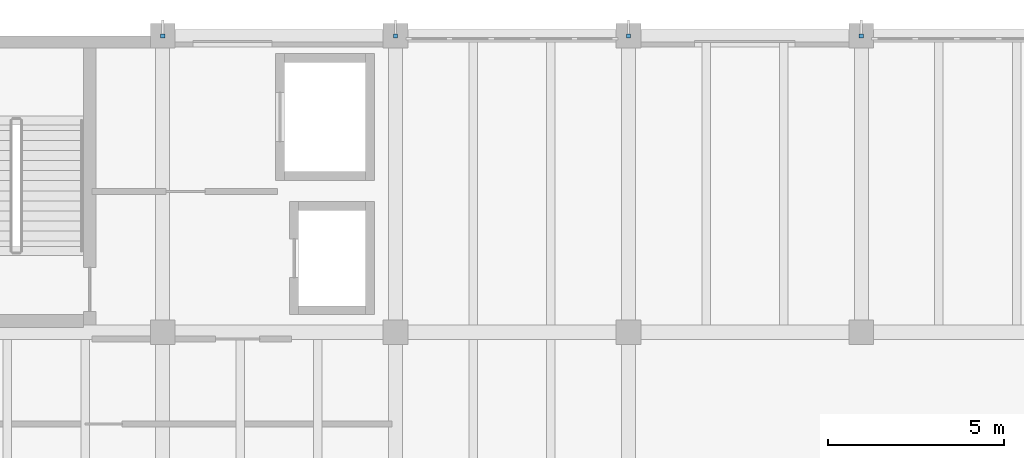
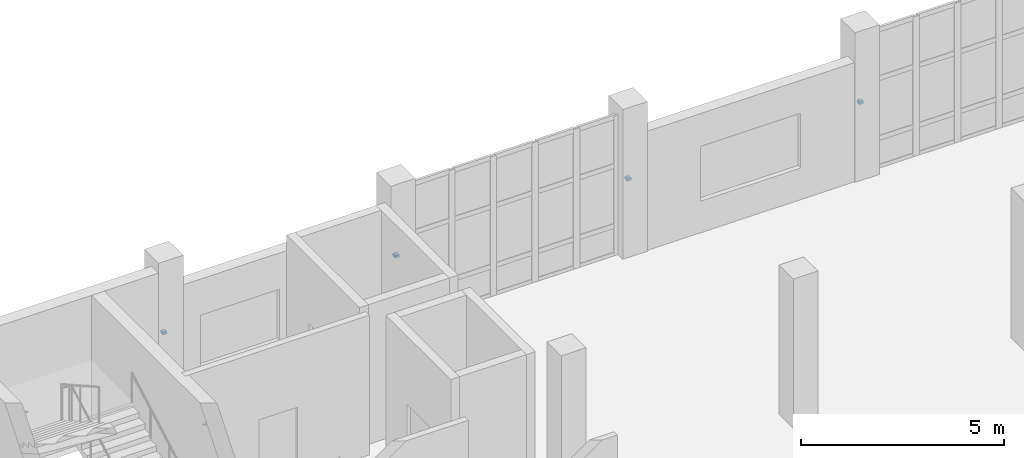
# One storey, part 65 of 83: 4 discrete accessories.
"""IFC4 building model written with IfcOpenShell, lengths in metres."""

from ifc_helpers import new_model, si_unit, direction, frame, origin, origin_2d, place, context, subcontext, project, spatial, rectangle, extrude, material, layer, layer_set, type_object, element, save


model = new_model("IFC4")

# Units and contexts
model_context = context("Model", 3, precision=1e-05, world=origin(), true_north=direction((0.0, 1.0)))
body_context = subcontext(model_context, "Body", "Model", "MODEL_VIEW")
ifc_project = project(units=[si_unit("LENGTHUNIT", "METRE"), si_unit("AREAUNIT", "SQUARE_METRE"), si_unit("VOLUMEUNIT", "CUBIC_METRE"), si_unit("PLANEANGLEUNIT", "RADIAN"), si_unit("MASSUNIT", "GRAM", prefix="KILO")], contexts=[model_context])

# Site, building, storey
site_placement = place(None, origin())
site = spatial("IfcSite", under=ifc_project, at=site_placement, CompositionType="ELEMENT")
building_placement = place(site_placement, origin())
building = spatial("IfcBuilding", under=site, at=building_placement, Name="Qaldarim Faculty of Natural and Applied Sciences", CompositionType="ELEMENT")
storey_placement = place(building_placement, frame((0.0, 0.0, 5.39990234375)))
storey = spatial("IfcBuildingStorey", under=building, at=storey_placement, Name="L01", CompositionType="ELEMENT", Elevation=5.39990234375)

# Discrete accessories
ifc_material = material(Name="Architectural stainless steel 316", Category="steel")
ifc_layer = layer(ifc_material, 0.080078125)
ifc_layer_set = layer_set([ifc_layer], Name="Architectural stainless steel 316")
discrete_accessory_type = type_object("IfcDiscreteAccessoryType", Name="FacadeBracket-SS120", PredefinedType="BRACKET", material=ifc_layer_set)
for number, where, z_axis, x_axis, name in (
    (1, (105.60009765625, 117.60009765625, 2.06005859375), (0.0, 0.0, 1.0), (1.0, 0.0, 0.0), "North fin bracket FIN-V4N-L01-X17"),
    (2, (112.199951171875, 117.60009765625, 2.06005859375), (0.0, 0.0, 1.0), (1.0, 0.0, 0.0), "North fin bracket FIN-V4N-L01-X18"),
    (3, (118.800048828125, 117.60009765625, 2.06005859375), (0.0, 0.0, 1.0), (1.0, 0.0, 0.0), "North fin bracket FIN-V4N-L01-X19"),
    (4, (125.39990234375, 117.60009765625, 2.06005859375), (0.0, 0.0, 1.0), (1.0, 0.0, 0.0), "North fin bracket FIN-V4N-L01-X20"),
):
    element("IfcDiscreteAccessory", number, at=place(storey_placement, frame(where, z_axis=z_axis, x_axis=x_axis)), inside=storey, type_object=discrete_accessory_type, Name=name, PredefinedType="BRACKET", context=body_context, shape_type="SweptSolid", body=[
        extrude(rectangle(XDim=0.1201171875, YDim=0.1201171875, at=origin_2d()), origin(), (0.0, 0.0, 1.0), 0.080078125),
    ])

save(model, "model.ifc")
